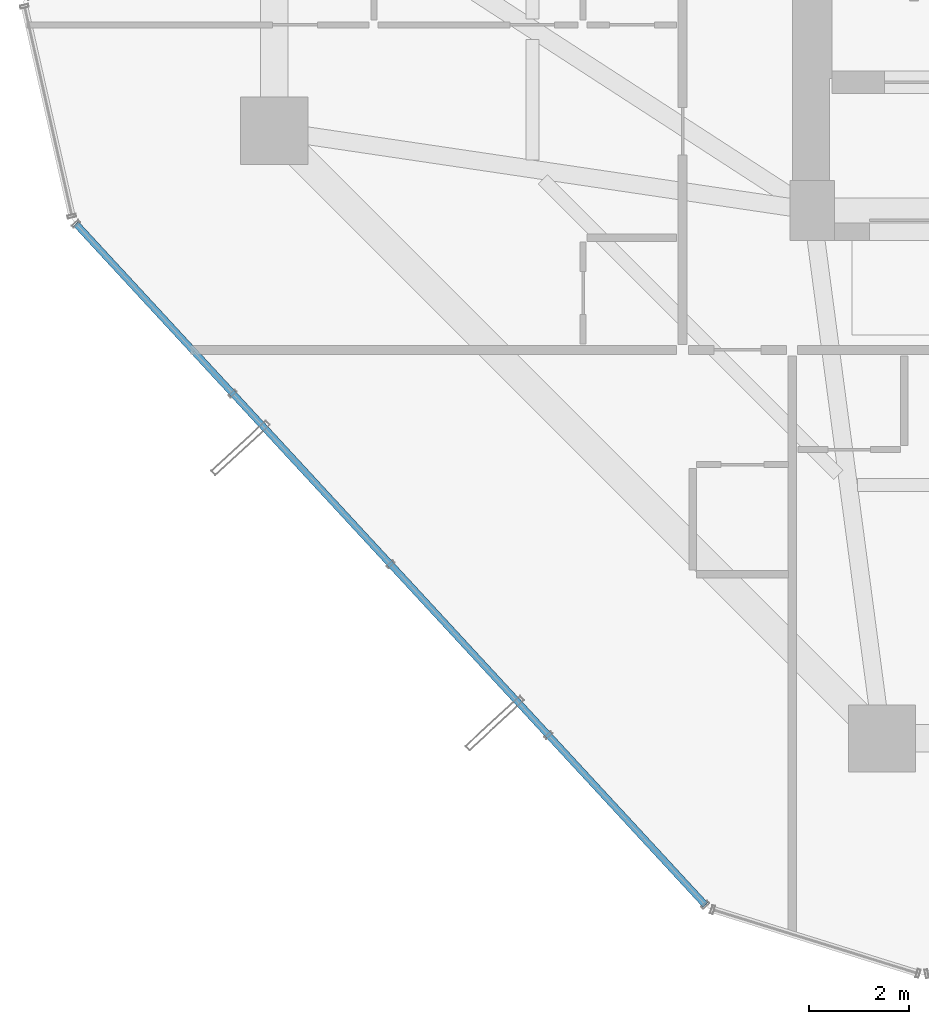
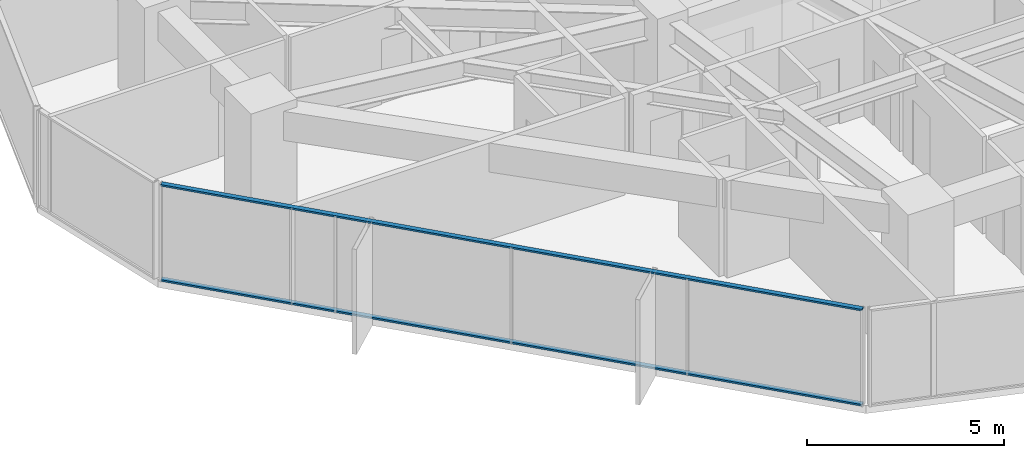
# One storey, part 3 of 39: 2 members, 1 element without a shape of its own.
"""IFC4 building model written with IfcOpenShell, lengths in metres."""

import ifcopenshell
import ifcopenshell.guid

model = None  # the IFC model being written
_history = None  # IfcOwnerHistory: only IFC2X3 demands one
_inside = {}  # id of a spatial element -> (the spatial element, [elements in it])
_under = {}  # id of a project, library or spatial element -> (it, [spatial elements below it])
_declared = {}  # id of a project -> (the project, [libraries it declares])
_typed = {}  # id of a type object -> (the type object, [elements of that type])
_made_of = {}  # id of a material, layer set ... -> (it, [elements and type objects made of it])


def new_model(schema):
    """Start an empty IFC model of exactly this schema.

    Asked for "IFC4X3", IfcOpenShell would pick the latest addendum, in which some entities
    have other attributes; the version numbers below select the first issue.
    IFC2X3 requires an IfcOwnerHistory on every rooted entity: one is made here for all.
    """
    global model, _history
    if schema == "IFC4X3":
        model = ifcopenshell.file(schema_version=(4, 3, 0, 0))
    else:
        model = ifcopenshell.file(schema=schema)
    _inside.clear()
    _under.clear()
    _declared.clear()
    _typed.clear()
    _made_of.clear()
    _history = None
    if model.schema == "IFC2X3":
        org = make("IfcOrganization", Name="unknown")
        user = make(
            "IfcPersonAndOrganization",
            ThePerson=make("IfcPerson", FamilyName="unknown"),
            TheOrganization=org,
        )
        app = make(
            "IfcApplication",
            ApplicationDeveloper=org,
            Version="unknown",
            ApplicationFullName="unknown",
            ApplicationIdentifier="unknown",
        )
        _history = make(
            "IfcOwnerHistory",
            OwningUser=user,
            OwningApplication=app,
            ChangeAction="ADDED",
            CreationDate=0,
        )
    return model


def make(cls, **values):
    """One entity of the class cls with the attributes given. An attribute that is None is left unset."""
    return model.create_entity(
        cls, **{name: value for name, value in values.items() if value is not None}
    )


def rooted(cls, **values):
    """An entity with a GlobalId (a new one), such as an element, a storey or a relation."""
    return make(cls, GlobalId=ifcopenshell.guid.new(), OwnerHistory=_history, **values)


def si_unit(unit_type, name, prefix=None):
    """IfcSIUnit, for example si_unit("LENGTHUNIT", "METRE", prefix="MILLI")."""
    return make("IfcSIUnit", UnitType=unit_type, Prefix=prefix, Name=name)


def assignment(units):
    """IfcUnitAssignment: the units of a project."""
    return None if units is None else make("IfcUnitAssignment", Units=units)


def point(xyz):
    """IfcCartesianPoint."""
    return None if xyz is None else make("IfcCartesianPoint", Coordinates=xyz)


def direction(xyz):
    """IfcDirection."""
    return None if xyz is None else make("IfcDirection", DirectionRatios=xyz)


def frame(location, z_axis=None, x_axis=None):
    """IfcAxis2Placement3D, a coordinate frame: its origin and axes. An axis left out is left unset."""
    return make(
        "IfcAxis2Placement3D",
        Location=point(location),
        Axis=direction(z_axis),
        RefDirection=direction(x_axis),
    )


def frame_2d(location, x_axis=None):
    """IfcAxis2Placement2D, a coordinate frame in the plane: its origin and x axis."""
    return make(
        "IfcAxis2Placement2D", Location=point(location), RefDirection=direction(x_axis)
    )


def origin():
    """The frame at (0, 0, 0) with its axes left unset."""
    return frame((0.0, 0.0, 0.0))


def origin_2d():
    """The frame at (0, 0) in the plane with its x axis left unset."""
    return frame_2d((0.0, 0.0))


def place(relative_to, where):
    """IfcLocalPlacement: puts the frame where relative to a parent placement (None: the world)."""
    return make(
        "IfcLocalPlacement", PlacementRelTo=relative_to, RelativePlacement=where
    )


def context(
    kind, dimensions, precision=None, world=None, true_north=None, identifier=None
):
    """IfcGeometricRepresentationContext, for example the 3D "Model" context."""
    return make(
        "IfcGeometricRepresentationContext",
        ContextIdentifier=identifier,
        ContextType=kind,
        CoordinateSpaceDimension=dimensions,
        Precision=precision,
        WorldCoordinateSystem=world,
        TrueNorth=true_north,
    )


def subcontext(parent, identifier, kind, view, scale=None):
    """IfcGeometricRepresentationSubContext, for example "Body" below "Model"."""
    return make(
        "IfcGeometricRepresentationSubContext",
        ContextIdentifier=identifier,
        ContextType=kind,
        ParentContext=parent,
        TargetScale=scale,
        TargetView=view,
    )


def project(units=None, contexts=None):
    """IfcProject with its units and contexts."""
    return rooted(
        "IfcProject",
        Name="project",
        RepresentationContexts=contexts,
        UnitsInContext=assignment(units),
    )


def spatial(cls, under=None, at=None, **own):
    """A site, building, storey or space (cls), placed at a placement, below another one or the project."""
    s = rooted(cls, ObjectPlacement=at, **own)
    if under is not None:
        _under.setdefault(under.id(), (under, []))[1].append(s)
    return s


def profile(cls, at=None, kind="AREA", **sizes):
    """A parametric profile (cls). Its sizes go by their IFC names, for example OverallWidth=200.0."""
    return make(cls, ProfileType=kind, Position=at, **sizes)


def hollow_rectangle(**sizes):
    """IfcRectangleHollowProfileDef."""
    return profile("IfcRectangleHollowProfileDef", **sizes)


def extrude(swept, where, along, depth):
    """IfcExtrudedAreaSolid: the profile swept, set in the frame where, extruded along a direction by depth."""
    return make(
        "IfcExtrudedAreaSolid",
        SweptArea=swept,
        Position=where,
        ExtrudedDirection=direction(along),
        Depth=depth,
    )


def shape(context_of_items, identifier, shape_type, items):
    """IfcShapeRepresentation: the items that make up one representation, for example the "Body"."""
    return make(
        "IfcShapeRepresentation",
        ContextOfItems=context_of_items,
        RepresentationIdentifier=identifier,
        RepresentationType=shape_type,
        Items=items,
    )


def source(mapping_origin, context_of_items, identifier, shape_type, items):
    """IfcRepresentationMap: a shape defined once, which mapped items show again and again."""
    return make(
        "IfcRepresentationMap",
        MappingOrigin=mapping_origin,
        MappedRepresentation=shape(context_of_items, identifier, shape_type, items),
    )


def transform(
    local_origin,
    x_axis=None,
    y_axis=None,
    z_axis=None,
    scale=None,
    scale2=None,
    scale3=None,
    uniform=True,
):
    """IfcCartesianTransformationOperator3D, or its non-uniform kind. x_axis, y_axis, z_axis: its Axis1, 2, 3."""
    if uniform:
        return make(
            "IfcCartesianTransformationOperator3D",
            Axis1=direction(x_axis),
            Axis2=direction(y_axis),
            LocalOrigin=point(local_origin),
            Scale=scale,
            Axis3=direction(z_axis),
        )
    return make(
        "IfcCartesianTransformationOperator3DnonUniform",
        Axis1=direction(x_axis),
        Axis2=direction(y_axis),
        LocalOrigin=point(local_origin),
        Scale=scale,
        Axis3=direction(z_axis),
        Scale2=scale2,
        Scale3=scale3,
    )


def mapped(mapping_source, mapping_target):
    """IfcMappedItem: shows the shape of a source again, moved by a transform."""
    return make(
        "IfcMappedItem", MappingSource=mapping_source, MappingTarget=mapping_target
    )


def material(Name=None, Category=None):
    """IfcMaterial."""
    return make("IfcMaterial", Name=Name, Category=Category)


def layer(
    of_material, thickness, ventilated=None, Name=None, Category=None, Priority=None
):
    """IfcMaterialLayer: one layer of a wall or slab, of a material (None: an air gap)."""
    return make(
        "IfcMaterialLayer",
        Material=of_material,
        LayerThickness=thickness,
        IsVentilated=ventilated,
        Name=Name,
        Category=Category,
        Priority=Priority,
    )


def layer_set(layers, Name=None):
    """IfcMaterialLayerSet."""
    return make("IfcMaterialLayerSet", MaterialLayers=layers, LayerSetName=Name)


def material_profile(
    of_material, cross_section, Name=None, Category=None, Priority=None
):
    """IfcMaterialProfile: a cross section and its material."""
    return make(
        "IfcMaterialProfile",
        Name=Name,
        Material=of_material,
        Profile=cross_section,
        Priority=Priority,
        Category=Category,
    )


def profile_set(profiles, Name=None, composite=None):
    """IfcMaterialProfileSet."""
    return make(
        "IfcMaterialProfileSet",
        Name=Name,
        MaterialProfiles=profiles,
        CompositeProfile=composite,
    )


def made_of(thing, what):
    """Note that an element or type object is made of a material, layer set ...; save() writes the relation."""
    if what is not None:
        _made_of.setdefault(what.id(), (what, []))[1].append(thing)
    return thing


def type_object(cls, material=None, **own):
    """A type object (cls), such as IfcWallType, which elements share."""
    return made_of(rooted(cls, **own), material)


def element(
    cls,
    number,
    at=None,
    inside=None,
    cuts=None,
    type_object=None,
    material=None,
    context=None,
    identifier="Body",
    shape_type=None,
    held_by="IfcProductDefinitionShape",
    body=None,
    shapes=None,
    **own,
):
    """One element of the class cls, such as IfcWall. Its Tag is "e" and its number.

    at: its placement. inside: the storey or other place that contains it. cuts: it is an
    opening in that element (IfcRelVoidsElement). A single representation is given by context,
    identifier, shape_type and body (its items); several are given by shapes. held_by: the class
    of the entity that holds the representations. save() writes the other relations.
    """
    e = rooted(cls, Tag="e%d" % number, ObjectPlacement=at, **own)
    if body is not None:
        shapes = [shape(context, identifier, shape_type, body)]
    if shapes is not None:
        e.Representation = make(held_by, Representations=shapes)
    if inside is not None:
        _inside.setdefault(inside.id(), (inside, []))[1].append(e)
    if cuts is not None:
        rooted(
            "IfcRelVoidsElement", RelatingBuildingElement=cuts, RelatedOpeningElement=e
        )
    if type_object is not None:
        _typed.setdefault(type_object.id(), (type_object, []))[1].append(e)
    return made_of(e, material)


def aggregate(whole, parts):
    """IfcRelAggregates: a whole, such as a stair, and the parts it consists of."""
    return rooted("IfcRelAggregates", RelatingObject=whole, RelatedObjects=parts)


def save(model, path):
    """Write the relations noted so far, then the file.

    IfcRelAggregates (storeys below a building ...), IfcRelContainedInSpatialStructure (elements
    in a storey), IfcRelDefinesByType, IfcRelAssociatesMaterial and IfcRelDeclares: one each for
    every whole, place, type object, material and project.
    """
    for whole, parts in _under.values():
        aggregate(whole, parts)
    for where, things in _inside.values():
        rooted(
            "IfcRelContainedInSpatialStructure",
            RelatedElements=things,
            RelatingStructure=where,
        )
    for kind, things in _typed.values():
        rooted("IfcRelDefinesByType", RelatedObjects=things, RelatingType=kind)
    for what, things in _made_of.values():
        rooted("IfcRelAssociatesMaterial", RelatedObjects=things, RelatingMaterial=what)
    for by, libraries in _declared.values():
        rooted("IfcRelDeclares", RelatingContext=by, RelatedDefinitions=libraries)
    model.write(path)


model = new_model("IFC4")

# Units and contexts
model_context = context("Model", 3, precision=1e-05, world=origin(), true_north=direction((0.0, 1.0)))
body_context = subcontext(model_context, "Body", "Model", "MODEL_VIEW")
ifc_project = project(units=[si_unit("LENGTHUNIT", "METRE"), si_unit("AREAUNIT", "SQUARE_METRE"), si_unit("VOLUMEUNIT", "CUBIC_METRE"), si_unit("PLANEANGLEUNIT", "RADIAN"), si_unit("MASSUNIT", "GRAM", prefix="KILO")], contexts=[model_context])

# Site, building, storey
site_placement = place(None, origin())
site = spatial("IfcSite", under=ifc_project, at=site_placement, CompositionType="ELEMENT")
building_placement = place(site_placement, origin())
building = spatial("IfcBuilding", under=site, at=building_placement, Name="Veraguas Prism Commons", CompositionType="ELEMENT")
storey_placement = place(building_placement, frame((0.0, 0.0, 67.35009765625)))
storey = spatial("IfcBuildingStorey", under=building, at=storey_placement, Name="L18", CompositionType="ELEMENT", Elevation=67.35009765625)

# Curtain wall, members
ifc_material = material(Name="Anodised aluminium EN AW-6063 T6", Category="aluminium")
ifc_layer = layer(ifc_material, 0.169921875, Name="Unitised Flush Curtain Wall Zone 1", Category="aluminium")
ifc_layer_set = layer_set([ifc_layer], Name="Anodised aluminium EN AW-6063 T6")
curtain_wall_type = type_object("IfcCurtainWallType", Name="Unitised Flush Curtain Wall Zone 1", PredefinedType="NOTDEFINED", material=ifc_layer_set)
curtain_wall_placement = place(storey_placement, origin())
curtain_wall = element("IfcCurtainWall", 1, at=curtain_wall_placement, inside=storey, type_object=curtain_wall_type, Name="Tower Facade Curtain Wall L18-F4", PredefinedType="NOTDEFINED")
ifc_material_profile = material_profile(ifc_material, hollow_rectangle(XDim=0.054931640625, YDim=0.135009765625, WallThickness=0.0029296875, at=origin_2d()), Name="AL55X135X3")
ifc_profile_set = profile_set([ifc_material_profile], Name="Anodised aluminium EN AW-6063 T6")
member_type = type_object("IfcMemberType", Name="Curtain Wall Transom Standard AL 55x135x3", PredefinedType="USERDEFINED", material=ifc_profile_set)
shared_shape = source(origin(), body_context, "Body", "SweptSolid", [
    extrude(hollow_rectangle(XDim=0.054931640625, YDim=0.135009765625, WallThickness=0.0029296875, at=origin_2d()), origin(), (0.0, 0.0, 1.0), 18.6240234375),
])
member_1_placement = place(storey_placement, frame((2.4150390625, 16.733154296875, 0.02734375), z_axis=(0.678674193656, -0.734439472568, 0.0), x_axis=(0.0, 0.0, 1.0)))
member_1 = element("IfcMember", 2, at=member_1_placement, type_object=member_type, Name="CW-Z1 Transom 1", ObjectType="TRANSOM", PredefinedType="USERDEFINED", context=body_context, shape_type="MappedRepresentation", body=[
    mapped(shared_shape, transform((0.0, 0.0, 0.0), scale=1.0)),
])
member_2_placement = place(storey_placement, frame((2.4150390625, 16.733154296875, 2.972412109375), z_axis=(0.678674193656, -0.734439472568, 0.0), x_axis=(0.0, 0.0, 1.0)))
member_2 = element("IfcMember", 3, at=member_2_placement, type_object=member_type, Name="CW-Z1 Transom 2", ObjectType="TRANSOM", PredefinedType="USERDEFINED", context=body_context, shape_type="MappedRepresentation", body=[
    mapped(shared_shape, transform((0.0, 0.0, 0.0), scale=1.0)),
])
aggregate(curtain_wall, [member_1, member_2])

save(model, "model.ifc")
